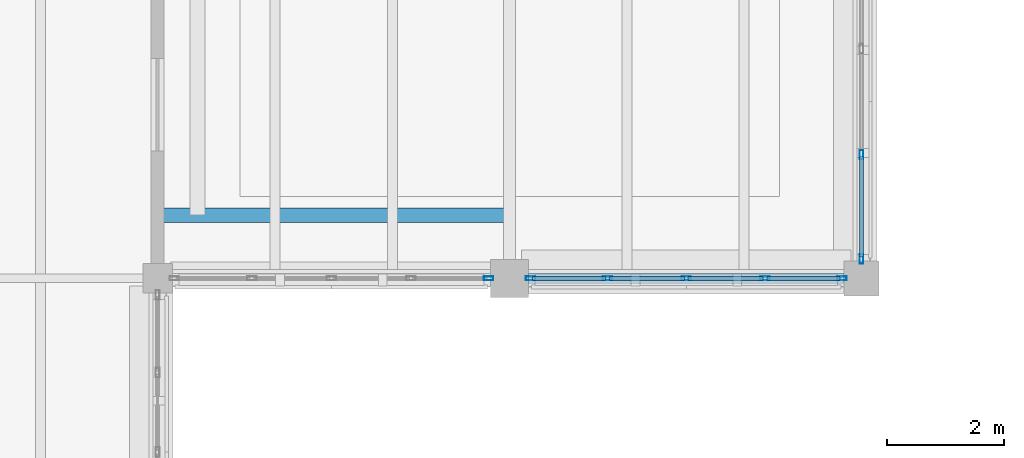
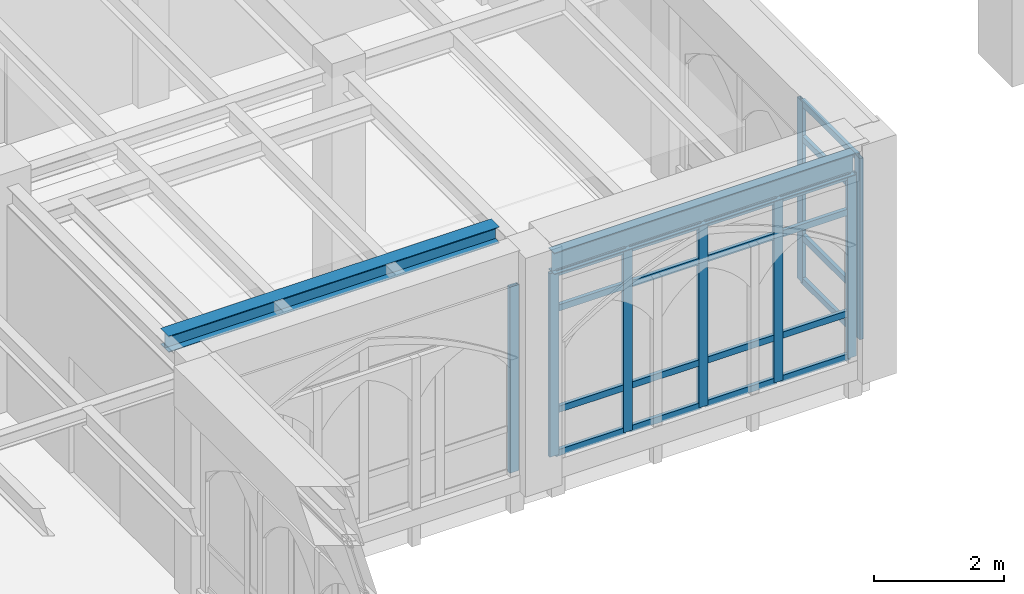
# One storey, part 41 of 127: 28 members, 2 beams, 3 elements without a shape of their own.
"""IFC4 building model written with IfcOpenShell, lengths in metres."""

from ifc_helpers import new_model, si_unit, direction, frame, origin, origin_2d, place, context, subcontext, project, spatial, hollow_rectangle, i_section, extrude, material, layer, layer_set, material_profile, profile_set, type_object, element, aggregate, save


model = new_model("IFC4")

# Units and contexts
model_context = context("Model", 3, precision=1e-05, world=origin(), true_north=direction((0.0, 1.0)))
body_context = subcontext(model_context, "Body", "Model", "MODEL_VIEW")
ifc_project = project(units=[si_unit("LENGTHUNIT", "METRE"), si_unit("AREAUNIT", "SQUARE_METRE"), si_unit("VOLUMEUNIT", "CUBIC_METRE"), si_unit("PLANEANGLEUNIT", "RADIAN"), si_unit("MASSUNIT", "GRAM", prefix="KILO")], contexts=[model_context])

# Site, building, storey
site_placement = place(None, origin())
site = spatial("IfcSite", under=ifc_project, at=site_placement, CompositionType="ELEMENT")
building_placement = place(site_placement, origin())
building = spatial("IfcBuilding", under=site, at=building_placement, Name="Cumevento Cable Car Station", CompositionType="ELEMENT")
storey_placement = place(building_placement, frame((0.0, 0.0, 4.5)))
storey = spatial("IfcBuildingStorey", under=building, at=storey_placement, Name="L02", CompositionType="ELEMENT", Elevation=4.5)

# Curtain wall, member
ifc_material_1 = material(Name="Anodised Bronze Aluminium AW-6063-T6", Category="aluminium")
ifc_layer_1 = layer(ifc_material_1, 0.22607421875)
ifc_layer_set_1 = layer_set([ifc_layer_1], Name="Anodised Bronze Aluminium AW-6063-T6")
curtain_wall_type_1 = type_object("IfcCurtainWallType", Name="Lancet Curtain Wall CW-12 1490", PredefinedType="NOTDEFINED", material=ifc_layer_set_1)
curtain_wall_1_placement = place(storey_placement, origin())
curtain_wall_1 = element("IfcCurtainWall", 1, at=curtain_wall_1_placement, inside=storey, type_object=curtain_wall_type_1, Name="Lancet Curtain Wall CW-12 L02 #43", PredefinedType="NOTDEFINED")
ifc_material_2 = material(Name="Anodised Bronze Aluminium AW-6063-T6", Category="aluminium")
ifc_material_profile_1 = material_profile(ifc_material_2, hollow_rectangle(XDim=0.06494140625, YDim=0.159912109375, WallThickness=0.00390625, at=origin_2d()), Name="ALUM65x160x4")
ifc_profile_set_1 = profile_set([ifc_material_profile_1], Name="Anodised Bronze Aluminium AW-6063-T6")
member_type_1 = type_object("IfcMemberType", Name="Curtain Mullion CWM-01 ALUM65x160x4", PredefinedType="MULLION", material=ifc_profile_set_1)
member_1_placement = place(storey_placement, frame((75.642578125, 33.0, 0.31005859375), z_axis=(0.0, 0.0, 1.0), x_axis=(0.0, -1.0, 0.0)))
member_1 = element("IfcMember", 2, at=member_1_placement, type_object=member_type_1, Name="CW-12 mullion 1", PredefinedType="MULLION", context=body_context, shape_type="SweptSolid", body=[
    extrude(hollow_rectangle(XDim=0.06494140625, YDim=0.159912109375, WallThickness=0.00390625, at=origin_2d()), origin(), (0.0, 0.0, 1.0), 3.510986328125),
])
aggregate(curtain_wall_1, [member_1])

# Curtain wall, members
ifc_material_3 = material(Name="Anodised Bronze Aluminium AW-6063-T6", Category="aluminium")
ifc_layer_2 = layer(ifc_material_3, 0.23193359375)
ifc_layer_set_2 = layer_set([ifc_layer_2], Name="Anodised Bronze Aluminium AW-6063-T6")
curtain_wall_type_2 = type_object("IfcCurtainWallType", Name="Lancet Curtain Wall CW-13 1530", PredefinedType="NOTDEFINED", material=ifc_layer_set_2)
curtain_wall_2_placement = place(storey_placement, origin())
curtain_wall_2 = element("IfcCurtainWall", 3, at=curtain_wall_2_placement, inside=storey, type_object=curtain_wall_type_2, Name="Lancet Curtain Wall CW-13 L02 #44", PredefinedType="NOTDEFINED")
member_2_placement = place(storey_placement, frame((81.66748046875, 33.0, 0.360107421875), z_axis=(0.0, 0.0, 1.0), x_axis=(0.0, -1.0, 0.0)))
member_2 = element("IfcMember", 4, at=member_2_placement, type_object=member_type_1, Name="CW-13 mullion 1", PredefinedType="MULLION", context=body_context, shape_type="SweptSolid", body=[
    extrude(hollow_rectangle(XDim=0.06494140625, YDim=0.159912109375, WallThickness=0.00390625, at=origin_2d()), origin(), (0.0, 0.0, 1.0), 3.4609375),
])
member_3_placement = place(storey_placement, frame((80.356201171875, 33.0, 0.360107421875), z_axis=(0.0, 0.0, 1.0), x_axis=(0.0, -1.0, 0.0)))
member_3 = element("IfcMember", 5, at=member_3_placement, type_object=member_type_1, Name="CW-13 mullion 2", PredefinedType="MULLION", context=body_context, shape_type="SweptSolid", body=[
    extrude(hollow_rectangle(XDim=0.06494140625, YDim=0.159912109375, WallThickness=0.00390625, at=origin_2d()), origin(), (0.0, 0.0, 1.0), 3.4609375),
])
member_4_placement = place(storey_placement, frame((79.012451171875, 33.0, 0.360107421875), z_axis=(0.0, 0.0, 1.0), x_axis=(0.0, -1.0, 0.0)))
member_4 = element("IfcMember", 6, at=member_4_placement, type_object=member_type_1, Name="CW-13 mullion 3", PredefinedType="MULLION", context=body_context, shape_type="SweptSolid", body=[
    extrude(hollow_rectangle(XDim=0.06494140625, YDim=0.159912109375, WallThickness=0.00390625, at=origin_2d()), origin(), (0.0, 0.0, 1.0), 3.4609375),
])
member_5_placement = place(storey_placement, frame((77.668701171875, 33.0, 0.360107421875), z_axis=(0.0, 0.0, 1.0), x_axis=(0.0, -1.0, 0.0)))
member_5 = element("IfcMember", 7, at=member_5_placement, type_object=member_type_1, Name="CW-13 mullion 4", PredefinedType="MULLION", context=body_context, shape_type="SweptSolid", body=[
    extrude(hollow_rectangle(XDim=0.06494140625, YDim=0.159912109375, WallThickness=0.00390625, at=origin_2d()), origin(), (0.0, 0.0, 1.0), 3.4609375),
])
member_6_placement = place(storey_placement, frame((76.357421875, 33.0, 0.360107421875), z_axis=(0.0, 0.0, 1.0), x_axis=(0.0, -1.0, 0.0)))
member_6 = element("IfcMember", 8, at=member_6_placement, type_object=member_type_1, Name="CW-13 mullion 5", PredefinedType="MULLION", context=body_context, shape_type="SweptSolid", body=[
    extrude(hollow_rectangle(XDim=0.06494140625, YDim=0.159912109375, WallThickness=0.00390625, at=origin_2d()), origin(), (0.0, 0.0, 1.0), 3.4609375),
])

ifc_material_4 = material(Name="Anodised Bronze Aluminium AW-6063-T6", Category="aluminium")
ifc_layer_3 = layer(ifc_material_4, 0.238037109375)
ifc_layer_set_3 = layer_set([ifc_layer_3], Name="Anodised Bronze Aluminium AW-6063-T6")
curtain_wall_type_3 = type_object("IfcCurtainWallType", Name="Lancet Curtain Wall CW-14 1570", PredefinedType="NOTDEFINED", material=ifc_layer_set_3)
curtain_wall_3_placement = place(storey_placement, origin())
curtain_wall_3 = element("IfcCurtainWall", 9, at=curtain_wall_3_placement, inside=storey, type_object=curtain_wall_type_3, Name="Lancet Curtain Wall CW-14 L02 #45", PredefinedType="NOTDEFINED")
member_7_placement = place(storey_placement, frame((82.0, 35.1083984375, 0.409912109375), z_axis=(0.0, 0.0, 1.0), x_axis=(1.0, 0.0, 0.0)))
member_7 = element("IfcMember", 10, at=member_7_placement, type_object=member_type_1, Name="CW-14 mullion 3", PredefinedType="MULLION", context=body_context, shape_type="SweptSolid", body=[
    extrude(hollow_rectangle(XDim=0.06494140625, YDim=0.159912109375, WallThickness=0.00390625, at=origin_2d()), origin(), (0.0, 0.0, 1.0), 3.4111328125),
])
member_8_placement = place(storey_placement, frame((82.0, 33.33251953125, 0.409912109375), z_axis=(0.0, 0.0, 1.0), x_axis=(1.0, 0.0, 0.0)))
member_8 = element("IfcMember", 11, at=member_8_placement, type_object=member_type_1, Name="CW-14 mullion 4", PredefinedType="MULLION", context=body_context, shape_type="SweptSolid", body=[
    extrude(hollow_rectangle(XDim=0.06494140625, YDim=0.159912109375, WallThickness=0.00390625, at=origin_2d()), origin(), (0.0, 0.0, 1.0), 3.4111328125),
])

# Member
ifc_material_5 = material(Name="Anodised Bronze Aluminium AW-6063-T6", Category="aluminium")
ifc_material_profile_2 = material_profile(ifc_material_5, hollow_rectangle(XDim=0.06494140625, YDim=0.1201171875, WallThickness=0.00390625, at=origin_2d()), Name="ALUT65x120x4")
ifc_profile_set_2 = profile_set([ifc_material_profile_2], Name="Anodised Bronze Aluminium AW-6063-T6")
member_type_2 = type_object("IfcMemberType", Name="Curtain Transom CWT-01 ALUT65x120x4", PredefinedType="USERDEFINED", material=ifc_profile_set_2)
member_9_placement = place(storey_placement, frame((81.635009765625, 33.0, 0.392578125), z_axis=(-1.0, 0.0, 0.0), x_axis=(0.0, -1.0, 0.0)))
member_9 = element("IfcMember", 12, at=member_9_placement, type_object=member_type_2, Name="CW-13 transom 1.1", ObjectType="TRANSOM", PredefinedType="USERDEFINED", context=body_context, shape_type="SweptSolid", body=[
    extrude(hollow_rectangle(XDim=0.06494140625, YDim=0.1201171875, WallThickness=0.00390625, at=origin_2d()), origin(), (0.0, 0.0, 1.0), 1.246337890625),
])

member_10_placement = place(storey_placement, frame((81.635009765625, 33.0, 1.2099609375), z_axis=(-1.0, 0.0, 0.0), x_axis=(0.0, -1.0, 0.0)))
member_10 = element("IfcMember", 13, at=member_10_placement, type_object=member_type_2, Name="CW-13 transom 1.2", ObjectType="TRANSOM", PredefinedType="USERDEFINED", context=body_context, shape_type="SweptSolid", body=[
    extrude(hollow_rectangle(XDim=0.06494140625, YDim=0.1201171875, WallThickness=0.00390625, at=origin_2d()), origin(), (0.0, 0.0, 1.0), 1.246337890625),
])

member_11_placement = place(storey_placement, frame((81.635009765625, 33.0, 3.12109375), z_axis=(-1.0, 0.0, 0.0), x_axis=(0.0, -1.0, 0.0)))
member_11 = element("IfcMember", 14, at=member_11_placement, type_object=member_type_2, Name="CW-13 transom 1.3", ObjectType="TRANSOM", PredefinedType="USERDEFINED", context=body_context, shape_type="SweptSolid", body=[
    extrude(hollow_rectangle(XDim=0.06494140625, YDim=0.1201171875, WallThickness=0.00390625, at=origin_2d()), origin(), (0.0, 0.0, 1.0), 1.246337890625),
])

member_12_placement = place(storey_placement, frame((81.635009765625, 33.0, 3.78857421875), z_axis=(-1.0, 0.0, 0.0), x_axis=(0.0, -1.0, 0.0)))
member_12 = element("IfcMember", 15, at=member_12_placement, type_object=member_type_2, Name="CW-13 transom 1.4", ObjectType="TRANSOM", PredefinedType="USERDEFINED", context=body_context, shape_type="SweptSolid", body=[
    extrude(hollow_rectangle(XDim=0.06494140625, YDim=0.1201171875, WallThickness=0.00390625, at=origin_2d()), origin(), (0.0, 0.0, 1.0), 1.246337890625),
])

member_13_placement = place(storey_placement, frame((80.32373046875, 33.0, 0.392578125), z_axis=(-1.0, 0.0, 0.0), x_axis=(0.0, -1.0, 0.0)))
member_13 = element("IfcMember", 16, at=member_13_placement, type_object=member_type_2, Name="CW-13 transom 2.1", ObjectType="TRANSOM", PredefinedType="USERDEFINED", context=body_context, shape_type="SweptSolid", body=[
    extrude(hollow_rectangle(XDim=0.06494140625, YDim=0.1201171875, WallThickness=0.00390625, at=origin_2d()), origin(), (0.0, 0.0, 1.0), 1.27880859375),
])

member_14_placement = place(storey_placement, frame((80.32373046875, 33.0, 1.2099609375), z_axis=(-1.0, 0.0, 0.0), x_axis=(0.0, -1.0, 0.0)))
member_14 = element("IfcMember", 17, at=member_14_placement, type_object=member_type_2, Name="CW-13 transom 2.2", ObjectType="TRANSOM", PredefinedType="USERDEFINED", context=body_context, shape_type="SweptSolid", body=[
    extrude(hollow_rectangle(XDim=0.06494140625, YDim=0.1201171875, WallThickness=0.00390625, at=origin_2d()), origin(), (0.0, 0.0, 1.0), 1.27880859375),
])

member_15_placement = place(storey_placement, frame((80.32373046875, 33.0, 3.12109375), z_axis=(-1.0, 0.0, 0.0), x_axis=(0.0, -1.0, 0.0)))
member_15 = element("IfcMember", 18, at=member_15_placement, type_object=member_type_2, Name="CW-13 transom 2.3", ObjectType="TRANSOM", PredefinedType="USERDEFINED", context=body_context, shape_type="SweptSolid", body=[
    extrude(hollow_rectangle(XDim=0.06494140625, YDim=0.1201171875, WallThickness=0.00390625, at=origin_2d()), origin(), (0.0, 0.0, 1.0), 1.27880859375),
])

member_16_placement = place(storey_placement, frame((80.32373046875, 33.0, 3.78857421875), z_axis=(-1.0, 0.0, 0.0), x_axis=(0.0, -1.0, 0.0)))
member_16 = element("IfcMember", 19, at=member_16_placement, type_object=member_type_2, Name="CW-13 transom 2.4", ObjectType="TRANSOM", PredefinedType="USERDEFINED", context=body_context, shape_type="SweptSolid", body=[
    extrude(hollow_rectangle(XDim=0.06494140625, YDim=0.1201171875, WallThickness=0.00390625, at=origin_2d()), origin(), (0.0, 0.0, 1.0), 1.27880859375),
])

member_17_placement = place(storey_placement, frame((78.97998046875, 33.0, 0.392578125), z_axis=(-1.0, 0.0, 0.0), x_axis=(0.0, -1.0, 0.0)))
member_17 = element("IfcMember", 20, at=member_17_placement, type_object=member_type_2, Name="CW-13 transom 3.1", ObjectType="TRANSOM", PredefinedType="USERDEFINED", context=body_context, shape_type="SweptSolid", body=[
    extrude(hollow_rectangle(XDim=0.06494140625, YDim=0.1201171875, WallThickness=0.00390625, at=origin_2d()), origin(), (0.0, 0.0, 1.0), 1.27880859375),
])

member_18_placement = place(storey_placement, frame((78.97998046875, 33.0, 1.2099609375), z_axis=(-1.0, 0.0, 0.0), x_axis=(0.0, -1.0, 0.0)))
member_18 = element("IfcMember", 21, at=member_18_placement, type_object=member_type_2, Name="CW-13 transom 3.2", ObjectType="TRANSOM", PredefinedType="USERDEFINED", context=body_context, shape_type="SweptSolid", body=[
    extrude(hollow_rectangle(XDim=0.06494140625, YDim=0.1201171875, WallThickness=0.00390625, at=origin_2d()), origin(), (0.0, 0.0, 1.0), 1.27880859375),
])

member_19_placement = place(storey_placement, frame((78.97998046875, 33.0, 3.12109375), z_axis=(-1.0, 0.0, 0.0), x_axis=(0.0, -1.0, 0.0)))
member_19 = element("IfcMember", 22, at=member_19_placement, type_object=member_type_2, Name="CW-13 transom 3.3", ObjectType="TRANSOM", PredefinedType="USERDEFINED", context=body_context, shape_type="SweptSolid", body=[
    extrude(hollow_rectangle(XDim=0.06494140625, YDim=0.1201171875, WallThickness=0.00390625, at=origin_2d()), origin(), (0.0, 0.0, 1.0), 1.27880859375),
])

member_20_placement = place(storey_placement, frame((78.97998046875, 33.0, 3.78857421875), z_axis=(-1.0, 0.0, 0.0), x_axis=(0.0, -1.0, 0.0)))
member_20 = element("IfcMember", 23, at=member_20_placement, type_object=member_type_2, Name="CW-13 transom 3.4", ObjectType="TRANSOM", PredefinedType="USERDEFINED", context=body_context, shape_type="SweptSolid", body=[
    extrude(hollow_rectangle(XDim=0.06494140625, YDim=0.1201171875, WallThickness=0.00390625, at=origin_2d()), origin(), (0.0, 0.0, 1.0), 1.27880859375),
])

member_21_placement = place(storey_placement, frame((77.63623046875, 33.0, 0.392578125), z_axis=(-1.0, 0.0, 0.0), x_axis=(0.0, -1.0, 0.0)))
member_21 = element("IfcMember", 24, at=member_21_placement, type_object=member_type_2, Name="CW-13 transom 4.1", ObjectType="TRANSOM", PredefinedType="USERDEFINED", context=body_context, shape_type="SweptSolid", body=[
    extrude(hollow_rectangle(XDim=0.06494140625, YDim=0.1201171875, WallThickness=0.00390625, at=origin_2d()), origin(), (0.0, 0.0, 1.0), 1.246337890625),
])

member_22_placement = place(storey_placement, frame((77.63623046875, 33.0, 1.2099609375), z_axis=(-1.0, 0.0, 0.0), x_axis=(0.0, -1.0, 0.0)))
member_22 = element("IfcMember", 25, at=member_22_placement, type_object=member_type_2, Name="CW-13 transom 4.2", ObjectType="TRANSOM", PredefinedType="USERDEFINED", context=body_context, shape_type="SweptSolid", body=[
    extrude(hollow_rectangle(XDim=0.06494140625, YDim=0.1201171875, WallThickness=0.00390625, at=origin_2d()), origin(), (0.0, 0.0, 1.0), 1.246337890625),
])

member_23_placement = place(storey_placement, frame((77.63623046875, 33.0, 3.12109375), z_axis=(-1.0, 0.0, 0.0), x_axis=(0.0, -1.0, 0.0)))
member_23 = element("IfcMember", 26, at=member_23_placement, type_object=member_type_2, Name="CW-13 transom 4.3", ObjectType="TRANSOM", PredefinedType="USERDEFINED", context=body_context, shape_type="SweptSolid", body=[
    extrude(hollow_rectangle(XDim=0.06494140625, YDim=0.1201171875, WallThickness=0.00390625, at=origin_2d()), origin(), (0.0, 0.0, 1.0), 1.246337890625),
])

member_24_placement = place(storey_placement, frame((77.63623046875, 33.0, 3.78857421875), z_axis=(-1.0, 0.0, 0.0), x_axis=(0.0, -1.0, 0.0)))
member_24 = element("IfcMember", 27, at=member_24_placement, type_object=member_type_2, Name="CW-13 transom 4.4", ObjectType="TRANSOM", PredefinedType="USERDEFINED", context=body_context, shape_type="SweptSolid", body=[
    extrude(hollow_rectangle(XDim=0.06494140625, YDim=0.1201171875, WallThickness=0.00390625, at=origin_2d()), origin(), (0.0, 0.0, 1.0), 1.246337890625),
])

aggregate(curtain_wall_2, [member_2, member_3, member_4, member_5, member_6, member_9, member_10, member_11, member_12, member_13, member_14, member_15, member_16, member_17, member_18, member_19, member_20, member_21, member_22, member_23, member_24])

member_25_placement = place(storey_placement, frame((82.0, 35.075927734375, 0.4423828125), z_axis=(0.0, -1.0, 0.0), x_axis=(1.0, 0.0, 0.0)))
member_25 = element("IfcMember", 28, at=member_25_placement, type_object=member_type_2, Name="CW-14 transom 3.1", ObjectType="TRANSOM", PredefinedType="USERDEFINED", context=body_context, shape_type="SweptSolid", body=[
    extrude(hollow_rectangle(XDim=0.06494140625, YDim=0.1201171875, WallThickness=0.00390625, at=origin_2d()), origin(), (0.0, 0.0, 1.0), 1.7109375),
])

member_26_placement = place(storey_placement, frame((82.0, 35.075927734375, 1.260009765625), z_axis=(0.0, -1.0, 0.0), x_axis=(1.0, 0.0, 0.0)))
member_26 = element("IfcMember", 29, at=member_26_placement, type_object=member_type_2, Name="CW-14 transom 3.2", ObjectType="TRANSOM", PredefinedType="USERDEFINED", context=body_context, shape_type="SweptSolid", body=[
    extrude(hollow_rectangle(XDim=0.06494140625, YDim=0.1201171875, WallThickness=0.00390625, at=origin_2d()), origin(), (0.0, 0.0, 1.0), 1.7109375),
])

member_27_placement = place(storey_placement, frame((82.0, 35.075927734375, 3.12109375), z_axis=(0.0, -1.0, 0.0), x_axis=(1.0, 0.0, 0.0)))
member_27 = element("IfcMember", 30, at=member_27_placement, type_object=member_type_2, Name="CW-14 transom 3.3", ObjectType="TRANSOM", PredefinedType="USERDEFINED", context=body_context, shape_type="SweptSolid", body=[
    extrude(hollow_rectangle(XDim=0.06494140625, YDim=0.1201171875, WallThickness=0.00390625, at=origin_2d()), origin(), (0.0, 0.0, 1.0), 1.7109375),
])

member_28_placement = place(storey_placement, frame((82.0, 35.075927734375, 3.78857421875), z_axis=(0.0, -1.0, 0.0), x_axis=(1.0, 0.0, 0.0)))
member_28 = element("IfcMember", 31, at=member_28_placement, type_object=member_type_2, Name="CW-14 transom 3.4", ObjectType="TRANSOM", PredefinedType="USERDEFINED", context=body_context, shape_type="SweptSolid", body=[
    extrude(hollow_rectangle(XDim=0.06494140625, YDim=0.1201171875, WallThickness=0.00390625, at=origin_2d()), origin(), (0.0, 0.0, 1.0), 1.7109375),
])

aggregate(curtain_wall_3, [member_7, member_8, member_25, member_26, member_27, member_28])

# Beams
ifc_material_6 = material(Name="Steel ASTM A572 Grade 50", Category="steel")
ifc_material_profile_3 = material_profile(ifc_material_6, i_section(OverallWidth=0.25390625, OverallDepth=0.305908203125, WebThickness=0.0087890625, FlangeThickness=0.0146484375, at=origin_2d()), Name="W310x79.0")
ifc_profile_set_3 = profile_set([ifc_material_profile_3], Name="Steel ASTM A572 Grade 50")
beam_type_1 = type_object("IfcBeamType", Name="Structural Beam BM-06 W310x79.0", PredefinedType="BEAM", material=ifc_profile_set_3)
beam_1_placement = place(storey_placement, frame((70.050048828125, 34.076904296875, 4.074951171875), z_axis=(1.0, 0.0, 0.0), x_axis=(0.0, 1.0, 0.0)))
element("IfcBeam", 32, at=beam_1_placement, inside=storey, type_object=beam_type_1, Name="Stairwell Curb Girder ST-11 #32", PredefinedType="BEAM", context=body_context, shape_type="SweptSolid", body=[
    extrude(i_section(OverallWidth=0.25390625, OverallDepth=0.305908203125, WebThickness=0.0087890625, FlangeThickness=0.0146484375, at=origin_2d()), origin(), (0.0, 0.0, 1.0), 5.89990234375),
])
ifc_material_7 = material(Name="Steel ASTM A572 Grade 50", Category="steel")
ifc_material_profile_4 = material_profile(ifc_material_7, i_section(OverallWidth=0.177978515625, OverallDepth=0.406982421875, WebThickness=0.0078125, FlangeThickness=0.0126953125, at=origin_2d()), Name="W410x60.0")
ifc_profile_set_4 = profile_set([ifc_material_profile_4], Name="Steel ASTM A572 Grade 50")
beam_type_2 = type_object("IfcBeamType", Name="Structural Spandrel SP-01 W410x60.0", PredefinedType="SPANDREL", material=ifc_profile_set_4)
beam_2_placement = place(storey_placement, frame((76.324951171875, 33.0, 4.0244140625), z_axis=(1.0, 0.0, 0.0), x_axis=(0.0, 1.0, 0.0)))
element("IfcBeam", 33, at=beam_2_placement, inside=storey, type_object=beam_type_2, Name="Beam SP-01 L02 #508", PredefinedType="SPANDREL", context=body_context, shape_type="SweptSolid", body=[
    extrude(i_section(OverallWidth=0.177978515625, OverallDepth=0.406982421875, WebThickness=0.0078125, FlangeThickness=0.0126953125, at=origin_2d()), origin(), (0.0, 0.0, 1.0), 5.375),
])

save(model, "model.ifc")
